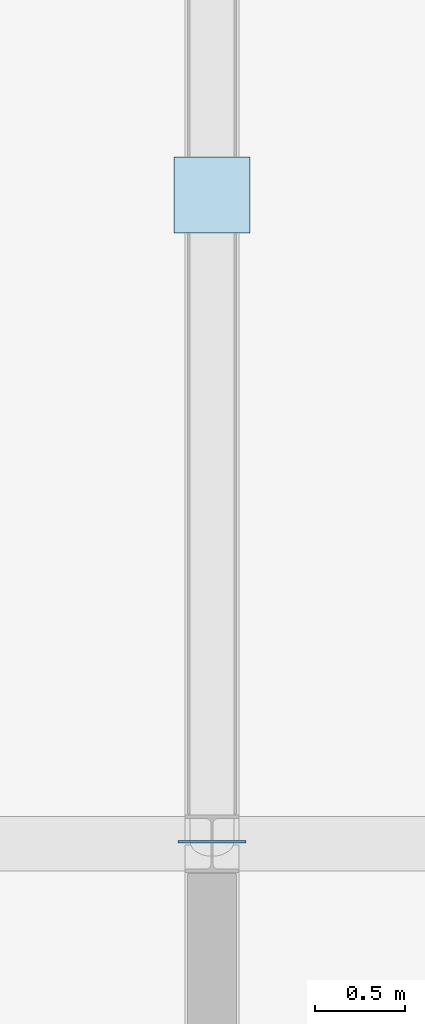
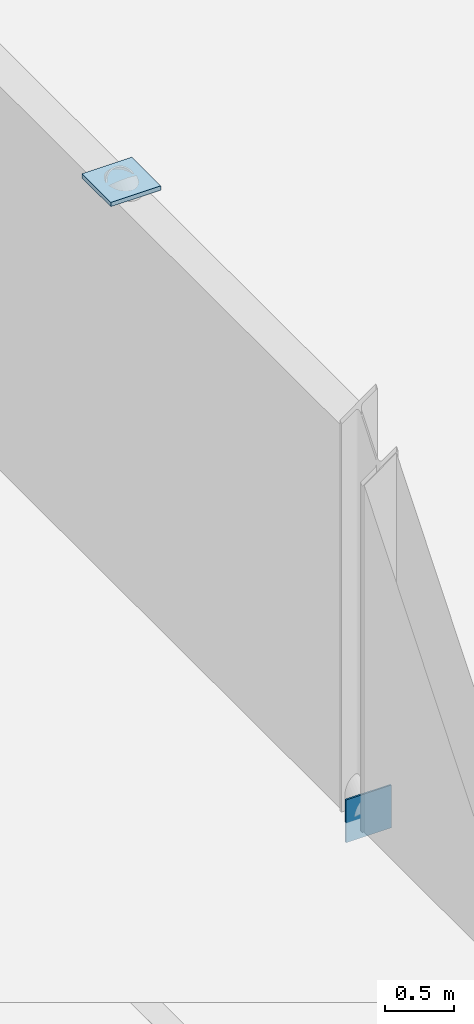
# One storey, part 26 of 44: 2 plates.
"""IFC4 building model written with IfcOpenShell, lengths in metres."""

from ifc_helpers import new_model, si_unit, direction, frame, origin, origin_2d, place, context, subcontext, project, spatial, rectangle, extrude, material, layer, layer_set, type_object, element, save


model = new_model("IFC4")

# Units and contexts
model_context = context("Model", 3, precision=1e-05, world=origin(), true_north=direction((0.0, 1.0)))
body_context = subcontext(model_context, "Body", "Model", "MODEL_VIEW")
ifc_project = project(units=[si_unit("LENGTHUNIT", "METRE"), si_unit("AREAUNIT", "SQUARE_METRE"), si_unit("VOLUMEUNIT", "CUBIC_METRE"), si_unit("PLANEANGLEUNIT", "RADIAN"), si_unit("MASSUNIT", "GRAM", prefix="KILO")], contexts=[model_context])

# Site, building, storey
site_placement = place(None, origin())
site = spatial("IfcSite", under=ifc_project, at=site_placement, CompositionType="ELEMENT")
building_placement = place(site_placement, origin())
building = spatial("IfcBuilding", under=site, at=building_placement, Name="Narikvali Park Central Library", CompositionType="ELEMENT")
storey_placement = place(building_placement, frame((0.0, 0.0, 22.800048828125)))
storey = spatial("IfcBuildingStorey", under=building, at=storey_placement, Name="L05", CompositionType="ELEMENT", Elevation=22.800048828125)

# Plates
ifc_material = material(Name="Steel S355", Category="steel")
ifc_layer_1 = layer(ifc_material, 0.013916015625, Name="Steel S355")
ifc_layer_set_1 = layer_set([ifc_layer_1], Name="Steel S355")
plate_type_1 = type_object("IfcPlateType", Name="Steel Hollow End Cap Plate 14", PredefinedType="SHEET", material=ifc_layer_set_1)
plate_1_placement = place(storey_placement, frame((7.199951171875, 93.612060546875, -0.177734375), z_axis=(0.0, 0.0, 1.0), x_axis=(-1.0, 0.0, 0.0)))
element("IfcPlate", 1, at=plate_1_placement, inside=storey, type_object=plate_type_1, Name="Hollow Section Steel End Cap BR-ECAP-2-L05-A0", PredefinedType="SHEET", context=body_context, shape_type="SweptSolid", body=[
    extrude(rectangle(XDim=0.3798828125, YDim=0.013916015625, at=origin_2d()), origin(), (0.0, 0.0, 1.0), 0.3798828125),
])
ifc_layer_2 = layer(ifc_material, 0.0380859375, Name="Steel S355")
ifc_layer_set_2 = layer_set([ifc_layer_2], Name="Steel S355")
plate_type_2 = type_object("IfcPlateType", Name="Truss Splice Gusset Plate 38", PredefinedType="SHEET", material=ifc_layer_set_2)
plate_2_placement = place(storey_placement, frame((7.199951171875, 97.199951171875, 3.4208984375), z_axis=(0.0, 0.0, 1.0), x_axis=(1.0, 0.0, 0.0)))
element("IfcPlate", 2, at=plate_2_placement, inside=storey, type_object=plate_type_2, Name="V5 L05 Chevron Apex Gusset Cap Plate", PredefinedType="SHEET", context=body_context, shape_type="SweptSolid", body=[
    extrude(rectangle(XDim=0.419921875, YDim=0.419921875, at=origin_2d()), origin(), (0.0, 0.0, 1.0), 0.0380859375),
])

save(model, "model.ifc")
